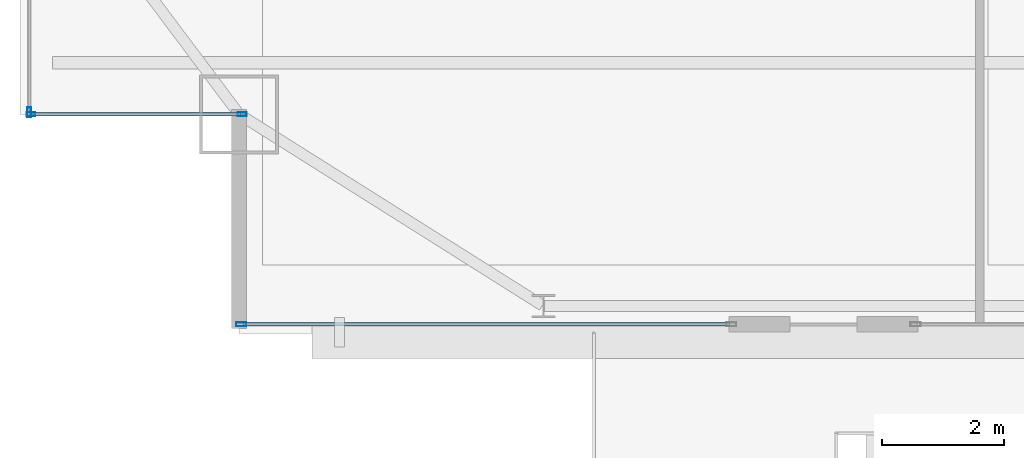
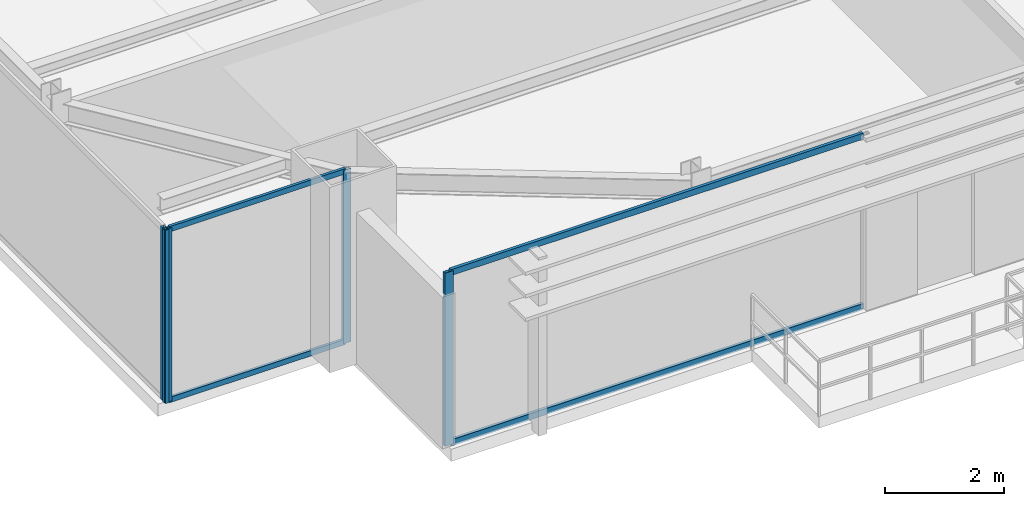
# One storey, part 4 of 31: 8 members, 3 elements without a shape of their own.
"""IFC4 building model written with IfcOpenShell, lengths in metres."""

from ifc_helpers import new_model, si_unit, direction, frame, origin, origin_2d, place, context, subcontext, project, spatial, hollow_rectangle, extrude, source, transform, mapped, material, layer, layer_set, material_profile, profile_set, type_object, type_shapes, element, aggregate, save


model = new_model("IFC4")

# Units and contexts
model_context = context("Model", 3, precision=1e-05, world=origin(), true_north=direction((0.0, 1.0)))
body_context = subcontext(model_context, "Body", "Model", "MODEL_VIEW")
ifc_project = project(units=[si_unit("LENGTHUNIT", "METRE"), si_unit("AREAUNIT", "SQUARE_METRE"), si_unit("VOLUMEUNIT", "CUBIC_METRE"), si_unit("PLANEANGLEUNIT", "RADIAN"), si_unit("MASSUNIT", "GRAM", prefix="KILO")], contexts=[model_context])

# Site, building, storey
site_placement = place(None, origin())
site = spatial("IfcSite", under=ifc_project, at=site_placement, CompositionType="ELEMENT")
building_placement = place(site_placement, origin())
building = spatial("IfcBuilding", under=site, at=building_placement, Name="Varnel Quay Broadcast Tower", CompositionType="ELEMENT")
storey_placement = place(building_placement, frame((0.0, 0.0, 183.800048828125)))
storey = spatial("IfcBuildingStorey", under=building, at=storey_placement, Name="L45", CompositionType="ELEMENT", Elevation=183.800048828125)

# Curtain wall, members
ifc_material = material(Name="Anodised Bronze Aluminium 6063-T6", Category="aluminium")
ifc_layer_1 = layer(ifc_material, 0.18994140625, Name="Anodised Bronze Aluminium 6063-T6")
ifc_layer_set_1 = layer_set([ifc_layer_1], Name="Anodised Bronze Aluminium 6063-T6")
curtain_wall_type_1 = type_object("IfcCurtainWallType", Name="CW_NotchCorner", PredefinedType="NOTDEFINED", material=ifc_layer_set_1)
curtain_wall_1_placement = place(storey_placement, origin())
curtain_wall_1 = element("IfcCurtainWall", 1, at=curtain_wall_1_placement, inside=storey, type_object=curtain_wall_type_1, Name="L45 SW Notch Curtain Wall", PredefinedType="NOTDEFINED")
ifc_material_profile_1 = material_profile(ifc_material, hollow_rectangle(XDim=0.054931640625, YDim=0.110107421875, WallThickness=0.0029296875, at=origin_2d()), Name="ALU55X110X3")
ifc_profile_set_1 = profile_set([ifc_material_profile_1], Name="Anodised Bronze Aluminium 6063-T6")
member_type_1 = type_object("IfcMemberType", Name="Tran_CWS-04", PredefinedType="USERDEFINED", material=ifc_profile_set_1)
shared_shape_1 = source(origin(), body_context, "Body", "SweptSolid", [
    extrude(hollow_rectangle(XDim=0.054931640625, YDim=0.110107421875, WallThickness=0.0029296875, at=origin_2d()), origin(), (0.0, 0.0, 1.0), 3.41015625),
])
type_shapes(member_type_1, [shared_shape_1])
member_1_placement = place(storey_placement, frame((7.2099609375, 10.800048828125, 0.02734375), z_axis=(1.0, 0.0, 0.0), x_axis=(0.0, 1.0, 0.0)))
member_1 = element("IfcMember", 2, at=member_1_placement, type_object=member_type_1, Name="CWS-04 transom 1.1", ObjectType="TRANSOM", PredefinedType="USERDEFINED", context=body_context, shape_type="MappedRepresentation", body=[
    mapped(shared_shape_1, transform((0.0, 0.0, 0.0), x_axis=(1.0, 0.0, 0.0), y_axis=(0.0, 1.0, 0.0), z_axis=(0.0, 0.0, 1.0), scale=1.0)),
])
member_2_placement = place(storey_placement, frame((7.2099609375, 10.800048828125, 3.5224609375), z_axis=(1.0, 0.0, 0.0), x_axis=(0.0, 1.0, 0.0)))
member_2 = element("IfcMember", 3, at=member_2_placement, type_object=member_type_1, Name="CWS-04 transom 1.2", ObjectType="TRANSOM", PredefinedType="USERDEFINED", context=body_context, shape_type="MappedRepresentation", body=[
    mapped(shared_shape_1, transform((0.0, 0.0, 0.0), x_axis=(1.0, 0.0, 0.0), y_axis=(0.0, 1.0, 0.0), z_axis=(0.0, 0.0, 1.0), scale=1.0)),
])
ifc_material_profile_2 = material_profile(ifc_material, hollow_rectangle(XDim=0.06005859375, YDim=0.14501953125, WallThickness=0.00341796875, at=origin_2d()), Name="ALU60X145X3.5")
ifc_profile_set_2 = profile_set([ifc_material_profile_2], Name="Anodised Bronze Aluminium 6063-T6")
member_type_2 = type_object("IfcMemberType", Name="Mull_CWS-04", PredefinedType="MULLION", material=ifc_profile_set_2)
shared_shape_2 = source(origin(), body_context, "Body", "SweptSolid", [
    extrude(hollow_rectangle(XDim=0.06005859375, YDim=0.14501953125, WallThickness=0.00341796875, at=origin_2d()), origin(), (0.0, 0.0, 1.0), 3.550048828125),
])
type_shapes(member_type_2, [shared_shape_2])
member_3_placement = place(storey_placement, frame((7.179931640625, 10.800048828125, 0.0), z_axis=(0.0, 0.0, 1.0), x_axis=(0.0, 1.0, 0.0)))
member_3 = element("IfcMember", 4, at=member_3_placement, type_object=member_type_2, Name="CWS-04 mullion 1", PredefinedType="MULLION", context=body_context, shape_type="MappedRepresentation", body=[
    mapped(shared_shape_2, transform((0.0, 0.0, 0.0), x_axis=(1.0, 0.0, 0.0), y_axis=(0.0, 1.0, 0.0), z_axis=(0.0, 0.0, 1.0), scale=1.0)),
])
member_4_placement = place(storey_placement, frame((10.64990234375, 10.800048828125, 0.0), z_axis=(0.0, 0.0, 1.0), x_axis=(0.0, 1.0, 0.0)))
member_4 = element("IfcMember", 5, at=member_4_placement, type_object=member_type_2, Name="CWS-04 mullion 2", PredefinedType="MULLION", context=body_context, shape_type="MappedRepresentation", body=[
    mapped(shared_shape_2, transform((0.0, 0.0, 0.0), x_axis=(1.0, 0.0, 0.0), y_axis=(0.0, 1.0, 0.0), z_axis=(0.0, 0.0, 1.0), scale=1.0)),
])
aggregate(curtain_wall_1, [member_3, member_4, member_1, member_2])

# Curtain wall, member
ifc_layer_2 = layer(ifc_material, 0.18994140625, Name="Anodised Bronze Aluminium 6063-T6")
ifc_layer_set_2 = layer_set([ifc_layer_2], Name="Anodised Bronze Aluminium 6063-T6")
curtain_wall_type_2 = type_object("IfcCurtainWallType", Name="CW_UpperTower", PredefinedType="NOTDEFINED", material=ifc_layer_set_2)
curtain_wall_2_placement = place(storey_placement, origin())
curtain_wall_2 = element("IfcCurtainWall", 6, at=curtain_wall_2_placement, inside=storey, type_object=curtain_wall_type_2, Name="L45 South Unitised Curtain Wall 1", PredefinedType="NOTDEFINED")
ifc_material_profile_3 = material_profile(ifc_material, hollow_rectangle(XDim=0.06494140625, YDim=0.1650390625, WallThickness=0.00341796875, at=origin_2d()), Name="ALU65X165X3.5")
ifc_profile_set_3 = profile_set([ifc_material_profile_3], Name="Anodised Bronze Aluminium 6063-T6")
member_type_3 = type_object("IfcMemberType", Name="Mull_CWS-03", PredefinedType="MULLION", material=ifc_profile_set_3)
shared_shape_3 = source(origin(), body_context, "Body", "SweptSolid", [
    extrude(hollow_rectangle(XDim=0.06494140625, YDim=0.1650390625, WallThickness=0.00341796875, at=origin_2d()), origin(), (0.0, 0.0, 1.0), 3.550048828125),
])
type_shapes(member_type_3, [shared_shape_3])
member_5_placement = place(storey_placement, frame((10.632568359375, 7.35009765625, 0.0), z_axis=(0.0, 0.0, 1.0), x_axis=(0.0, 1.0, 0.0)))
member_5 = element("IfcMember", 7, at=member_5_placement, type_object=member_type_3, Name="CWS-03 mullion 1", PredefinedType="MULLION", context=body_context, shape_type="MappedRepresentation", body=[
    mapped(shared_shape_3, transform((0.0, 0.0, 0.0), x_axis=(1.0, 0.0, 0.0), y_axis=(0.0, 1.0, 0.0), z_axis=(0.0, 0.0, 1.0), scale=1.0)),
])

curtain_wall_3_placement = place(storey_placement, origin())
curtain_wall_3 = element("IfcCurtainWall", 8, at=curtain_wall_3_placement, inside=storey, type_object=curtain_wall_type_2, Name="L45 West Unitised Curtain Wall", PredefinedType="NOTDEFINED")
member_6_placement = place(storey_placement, frame((7.14990234375, 10.83251953125, 0.0), z_axis=(0.0, 0.0, 1.0), x_axis=(-1.0, 0.0, 0.0)))
member_6 = element("IfcMember", 9, at=member_6_placement, type_object=member_type_3, Name="CWS-03 mullion 1", PredefinedType="MULLION", context=body_context, shape_type="MappedRepresentation", body=[
    mapped(shared_shape_3, transform((0.0, 0.0, 0.0), x_axis=(1.0, 0.0, 0.0), y_axis=(0.0, 1.0, 0.0), z_axis=(0.0, 0.0, 1.0), scale=1.0)),
])
aggregate(curtain_wall_3, [member_6])

# Member
ifc_material_profile_4 = material_profile(ifc_material, hollow_rectangle(XDim=0.06005859375, YDim=0.125, WallThickness=0.0029296875, at=origin_2d()), Name="ALU60X125X3")
ifc_profile_set_4 = profile_set([ifc_material_profile_4], Name="Anodised Bronze Aluminium 6063-T6")
member_type_4 = type_object("IfcMemberType", Name="Tran_CWS-03", PredefinedType="USERDEFINED", material=ifc_profile_set_4)
shared_shape_4 = source(origin(), body_context, "Body", "SweptSolid", [
    extrude(hollow_rectangle(XDim=0.06005859375, YDim=0.125, WallThickness=0.0029296875, at=origin_2d()), origin(), (0.0, 0.0, 1.0), 7.989990234375),
])
type_shapes(member_type_4, [shared_shape_4])
member_7_placement = place(storey_placement, frame((10.6650390625, 7.35009765625, 0.030029296875), z_axis=(1.0, 0.0, 0.0), x_axis=(0.0, 1.0, 0.0)))
member_7 = element("IfcMember", 10, at=member_7_placement, type_object=member_type_4, Name="CWS-03 transom 1.1", ObjectType="TRANSOM", PredefinedType="USERDEFINED", context=body_context, shape_type="MappedRepresentation", body=[
    mapped(shared_shape_4, transform((0.0, 0.0, 0.0), x_axis=(1.0, 0.0, 0.0), y_axis=(0.0, 1.0, 0.0), z_axis=(0.0, 0.0, 1.0), scale=1.0)),
])

member_8_placement = place(storey_placement, frame((10.6650390625, 7.35009765625, 3.52001953125), z_axis=(1.0, 0.0, 0.0), x_axis=(0.0, 1.0, 0.0)))
member_8 = element("IfcMember", 11, at=member_8_placement, type_object=member_type_4, Name="CWS-03 transom 1.2", ObjectType="TRANSOM", PredefinedType="USERDEFINED", context=body_context, shape_type="MappedRepresentation", body=[
    mapped(shared_shape_4, transform((0.0, 0.0, 0.0), x_axis=(1.0, 0.0, 0.0), y_axis=(0.0, 1.0, 0.0), z_axis=(0.0, 0.0, 1.0), scale=1.0)),
])

aggregate(curtain_wall_2, [member_5, member_7, member_8])

save(model, "model.ifc")
